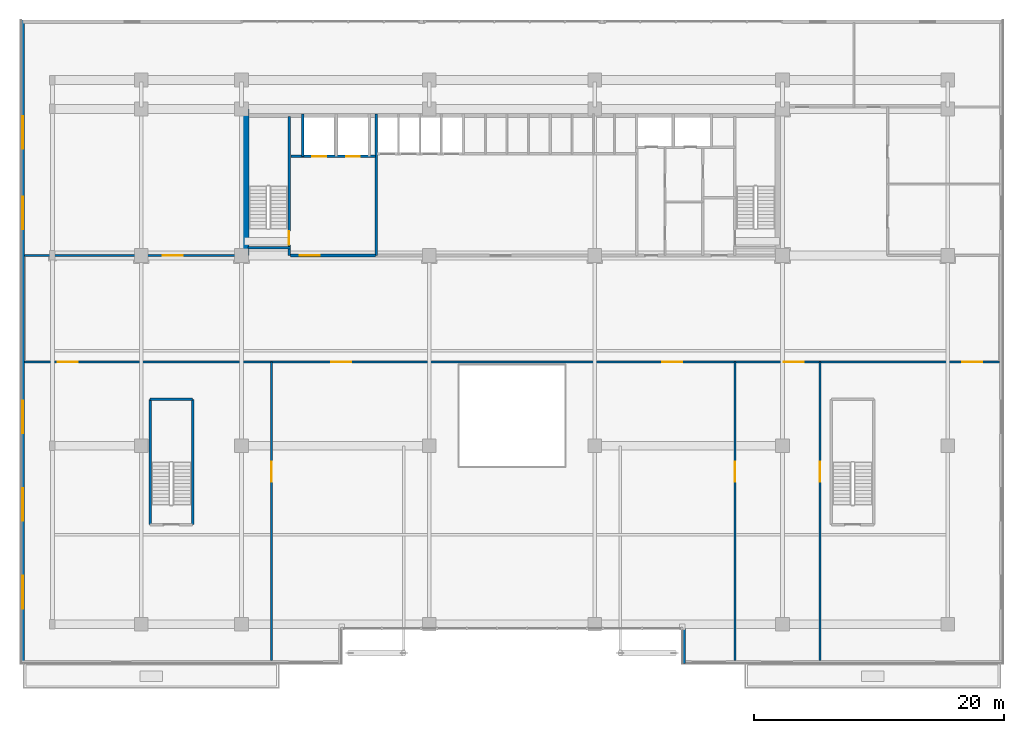
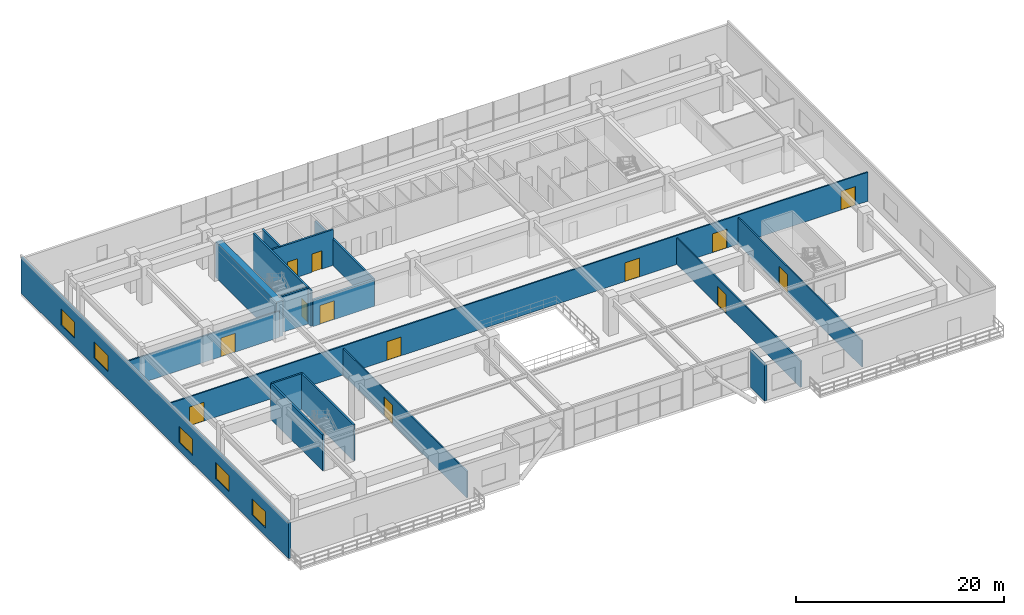
# One storey, part 15 of 24: 17 walls, 13 doors, 5 windows, 18 openings.
"""IFC4 building model written with IfcOpenShell, lengths in metres."""

from ifc_helpers import new_model, si_unit, direction, frame, frame_2d, origin, place, context, subcontext, project, spatial, rectangle, extrude, source, transform, mapped, material, layer, layer_set, type_object, element, fill, save


model = new_model("IFC4")

# Units and contexts
model_context = context("Model", 3, precision=1e-05, world=origin(), true_north=direction((0.0, 1.0)))
body_context = subcontext(model_context, "Body", "Model", "MODEL_VIEW")
ifc_project = project(units=[si_unit("LENGTHUNIT", "METRE"), si_unit("AREAUNIT", "SQUARE_METRE"), si_unit("VOLUMEUNIT", "CUBIC_METRE"), si_unit("PLANEANGLEUNIT", "RADIAN"), si_unit("MASSUNIT", "GRAM", prefix="KILO")], contexts=[model_context])

# Site, building, storey
site_placement = place(None, origin())
site = spatial("IfcSite", under=ifc_project, at=site_placement, CompositionType="ELEMENT")
building_placement = place(site_placement, origin())
building = spatial("IfcBuilding", under=site, at=building_placement, Name="Trelvane Seafront Commons", CompositionType="ELEMENT")
storey_placement = place(building_placement, frame((0.0, 0.0, 9.699951171875)))
storey = spatial("IfcBuildingStorey", under=building, at=storey_placement, Name="L02", CompositionType="ELEMENT", Elevation=9.699951171875)

# Wall
ifc_material_1 = material(Name="Precast concrete C40/50", Category="concrete")
ifc_layer_1 = layer(ifc_material_1, 0.260009765625, Name="ARCH-WALL-EXT260")
ifc_layer_set_1 = layer_set([ifc_layer_1], Name="Precast concrete C40/50")
wall_type_1 = type_object("IfcWallType", Name="ARCH-WALL-EXT260", PredefinedType="SOLIDWALL", material=ifc_layer_set_1)
wall_1_placement = place(storey_placement, frame((50.929931640625, 0.800048828125, 0.0), z_axis=(0.0, 0.0, 1.0), x_axis=(0.0, 1.0, 0.0)))
element("IfcWall", 1, at=wall_1_placement, inside=storey, type_object=wall_type_1, Name="EW-L02-00021", PredefinedType="SOLIDWALL", context=body_context, shape_type="SweptSolid", body=[
    extrude(rectangle(XDim=2.800048828125, YDim=0.260009765625, at=frame_2d((1.39990234375, 0.0))), origin(), (0.0, 0.0, 1.0), 4.199951171875),
])

# Wall, openings, windows
wall_2_placement = place(storey_placement, frame((-1.8701171875, 0.800048828125, 0.0), z_axis=(0.0, 0.0, 1.0), x_axis=(0.0, 1.0, 0.0)))
wall_2 = element("IfcWall", 2, at=wall_2_placement, inside=storey, type_object=wall_type_1, Name="EW-L02-00024", PredefinedType="SOLIDWALL", context=body_context, shape_type="SweptSolid", body=[
    extrude(rectangle(XDim=51.39990234375, YDim=0.260009765625, at=frame_2d((25.699951171875, 0.0))), origin(), (0.0, 0.0, 1.0), 4.199951171875),
])
opening_1_placement = place(wall_2_placement, frame((4.39990234375, 0.0, 0.919921875)))
opening_1 = element("IfcOpeningElement", 3, at=opening_1_placement, cuts=wall_2, Name="Opening W04", PredefinedType="OPENING", context=body_context, shape_type="SweptSolid", body=[
    extrude(rectangle(XDim=2.60009765625, YDim=1.89990234375, at=frame_2d((1.300048828125, 0.949951171875))), frame((0.0, 0.139892578125, 0.0), z_axis=(0.0, -1.0, 0.0), x_axis=(1.0, 0.0, 0.0)), (0.0, 0.0, 1.0), 0.280029296875),
])
opening_2_placement = place(wall_2_placement, frame((11.39990234375, 0.0, 0.919921875)))
opening_2 = element("IfcOpeningElement", 4, at=opening_2_placement, cuts=wall_2, Name="Opening W04", PredefinedType="OPENING", context=body_context, shape_type="SweptSolid", body=[
    extrude(rectangle(XDim=2.60009765625, YDim=1.89990234375, at=frame_2d((1.300048828125, 0.949951171875))), frame((0.0, 0.139892578125, 0.0), z_axis=(0.0, -1.0, 0.0), x_axis=(1.0, 0.0, 0.0)), (0.0, 0.0, 1.0), 0.280029296875),
])
opening_3_placement = place(wall_2_placement, frame((18.39990234375, 0.0, 0.919921875)))
opening_3 = element("IfcOpeningElement", 5, at=opening_3_placement, cuts=wall_2, Name="Opening W04", PredefinedType="OPENING", context=body_context, shape_type="SweptSolid", body=[
    extrude(rectangle(XDim=2.60009765625, YDim=1.89990234375, at=frame_2d((1.300048828125, 0.949951171875))), frame((0.0, 0.139892578125, 0.0), z_axis=(0.0, -1.0, 0.0), x_axis=(1.0, 0.0, 0.0)), (0.0, 0.0, 1.0), 0.280029296875),
])
opening_4_placement = place(wall_2_placement, frame((34.699951171875, 0.0, 0.919921875)))
opening_4 = element("IfcOpeningElement", 6, at=opening_4_placement, cuts=wall_2, Name="Opening W04", PredefinedType="OPENING", context=body_context, shape_type="SweptSolid", body=[
    extrude(rectangle(XDim=2.60009765625, YDim=1.89990234375, at=frame_2d((1.300048828125, 0.949951171875))), frame((0.0, 0.139892578125, 0.0), z_axis=(0.0, -1.0, 0.0), x_axis=(1.0, 0.0, 0.0)), (0.0, 0.0, 1.0), 0.280029296875),
])
opening_5_placement = place(wall_2_placement, frame((41.10009765625, 0.0, 0.919921875)))
opening_5 = element("IfcOpeningElement", 7, at=opening_5_placement, cuts=wall_2, Name="Opening W04", PredefinedType="OPENING", context=body_context, shape_type="SweptSolid", body=[
    extrude(rectangle(XDim=2.60009765625, YDim=1.89990234375, at=frame_2d((1.300048828125, 0.949951171875))), frame((0.0, 0.139892578125, 0.0), z_axis=(0.0, -1.0, 0.0), x_axis=(1.0, 0.0, 0.0)), (0.0, 0.0, 1.0), 0.280029296875),
])
ifc_material_2 = material(Name="Low-E coastal double glazing", Category="glass")
window_type = type_object("IfcWindowType", Name="ARCH-WIN-W04", PartitioningType="SINGLE_PANEL", PredefinedType="WINDOW", material=ifc_material_2)
shared_shape_1 = source(origin(), body_context, "Body", "SweptSolid", [
    extrude(rectangle(XDim=2.60009765625, YDim=1.89990234375, at=frame_2d((1.300048828125, 0.949951171875))), frame((0.0, 0.030029296875, 0.0), z_axis=(0.0, -1.0, 0.0), x_axis=(1.0, 0.0, 0.0)), (0.0, 0.0, 1.0), 0.06005859375),
])
window_1_placement = place(opening_1_placement, origin())
window_1 = element("IfcWindow", 8, at=window_1_placement, inside=storey, type_object=window_type, Name="WIN-L02-EW-00033", OverallHeight=1.89990234375, OverallWidth=2.60009765625, PartitioningType="SINGLE_PANEL", PredefinedType="WINDOW", context=body_context, shape_type="MappedRepresentation", body=[
    mapped(shared_shape_1, transform((0.0, 0.0, 0.0), x_axis=(1.0, 0.0, 0.0), y_axis=(0.0, 1.0, 0.0), z_axis=(0.0, 0.0, 1.0), scale=1.0)),
])
fill(opening_1, window_1)
window_2_placement = place(opening_2_placement, origin())
window_2 = element("IfcWindow", 9, at=window_2_placement, inside=storey, type_object=window_type, Name="WIN-L02-EW-00034", OverallHeight=1.89990234375, OverallWidth=2.60009765625, PartitioningType="SINGLE_PANEL", PredefinedType="WINDOW", context=body_context, shape_type="MappedRepresentation", body=[
    mapped(shared_shape_1, transform((0.0, 0.0, 0.0), x_axis=(1.0, 0.0, 0.0), y_axis=(0.0, 1.0, 0.0), z_axis=(0.0, 0.0, 1.0), scale=1.0)),
])
fill(opening_2, window_2)
window_3_placement = place(opening_3_placement, origin())
window_3 = element("IfcWindow", 10, at=window_3_placement, inside=storey, type_object=window_type, Name="WIN-L02-EW-00035", OverallHeight=1.89990234375, OverallWidth=2.60009765625, PartitioningType="SINGLE_PANEL", PredefinedType="WINDOW", context=body_context, shape_type="MappedRepresentation", body=[
    mapped(shared_shape_1, transform((0.0, 0.0, 0.0), x_axis=(1.0, 0.0, 0.0), y_axis=(0.0, 1.0, 0.0), z_axis=(0.0, 0.0, 1.0), scale=1.0)),
])
fill(opening_3, window_3)
window_4_placement = place(opening_4_placement, origin())
window_4 = element("IfcWindow", 11, at=window_4_placement, inside=storey, type_object=window_type, Name="WIN-L02-EW-00036", OverallHeight=1.89990234375, OverallWidth=2.60009765625, PartitioningType="SINGLE_PANEL", PredefinedType="WINDOW", context=body_context, shape_type="MappedRepresentation", body=[
    mapped(shared_shape_1, transform((0.0, 0.0, 0.0), x_axis=(1.0, 0.0, 0.0), y_axis=(0.0, 1.0, 0.0), z_axis=(0.0, 0.0, 1.0), scale=1.0)),
])
fill(opening_4, window_4)
window_5_placement = place(opening_5_placement, origin())
window_5 = element("IfcWindow", 12, at=window_5_placement, inside=storey, type_object=window_type, Name="WIN-L02-EW-00037", OverallHeight=1.89990234375, OverallWidth=2.60009765625, PartitioningType="SINGLE_PANEL", PredefinedType="WINDOW", context=body_context, shape_type="MappedRepresentation", body=[
    mapped(shared_shape_1, transform((0.0, 0.0, 0.0), x_axis=(1.0, 0.0, 0.0), y_axis=(0.0, 1.0, 0.0), z_axis=(0.0, 0.0, 1.0), scale=1.0)),
])
fill(opening_5, window_5)

# Wall, opening, door
ifc_material_3 = material(Name="Concrete C40/50", Category="concrete")
ifc_layer_2 = layer(ifc_material_3, 0.25, Name="ARCH-WALL-FIRE250")
ifc_layer_set_2 = layer_set([ifc_layer_2], Name="Concrete C40/50")
wall_type_2 = type_object("IfcWallType", Name="ARCH-WALL-FIRE250", PredefinedType="PARTITIONING", material=ifc_layer_set_2)
wall_3_placement = place(storey_placement, frame((19.5, 33.39990234375, 0.0), z_axis=(0.0, 0.0, 1.0), x_axis=(1.0, 0.0, 0.0)))
wall_3 = element("IfcWall", 13, at=wall_3_placement, inside=storey, type_object=wall_type_2, Name="W-L02-CS-FFL-021", PredefinedType="PARTITIONING", context=body_context, shape_type="SweptSolid", body=[
    extrude(rectangle(XDim=6.800048828125, YDim=0.25, at=frame_2d((3.39990234375, 0.0))), origin(), (0.0, 0.0, 1.0), 3.10009765625),
])
opening_6_placement = place(wall_3_placement, frame((0.75, 0.0, 0.0)))
opening_6 = element("IfcOpeningElement", 14, at=opening_6_placement, cuts=wall_3, Name="Opening FD-L02-07", PredefinedType="OPENING", context=body_context, shape_type="SweptSolid", body=[
    extrude(rectangle(XDim=1.60009765625, YDim=2.199951171875, at=frame_2d((0.800048828125, 1.10009765625))), frame((0.0, 0.135009765625, 0.0), z_axis=(0.0, -1.0, 0.0), x_axis=(1.0, 0.0, 0.0)), (0.0, 0.0, 1.0), 0.27001953125),
])
ifc_material_4 = material(Name="Powder-coated aluminium frame", Category="aluminium")
door_type_1 = type_object("IfcDoorType", Name="ARCH-DR-FD60-1600", OperationType="DOUBLE_DOOR_SINGLE_SWING", PredefinedType="DOOR", material=ifc_material_4)
shared_shape_2 = source(origin(), body_context, "Body", "SweptSolid", [
    extrude(rectangle(XDim=1.60009765625, YDim=2.199951171875, at=frame_2d((0.800048828125, 1.10009765625))), frame((0.0, 0.02490234375, 0.0), z_axis=(0.0, -1.0, 0.0), x_axis=(1.0, 0.0, 0.0)), (0.0, 0.0, 1.0), 0.050048828125),
])
door_1_placement = place(opening_6_placement, origin())
door_1 = element("IfcDoor", 15, at=door_1_placement, inside=storey, type_object=door_type_1, Name="L02 Firefighting Lift Lobby Double Fire Door", OperationType="DOUBLE_DOOR_SINGLE_SWING", OverallHeight=2.199951171875, OverallWidth=1.60009765625, PredefinedType="DOOR", context=body_context, shape_type="MappedRepresentation", body=[
    mapped(shared_shape_2, transform((0.0, 0.0, 0.0), x_axis=(1.0, 0.0, 0.0), y_axis=(0.0, 1.0, 0.0), z_axis=(0.0, 0.0, 1.0), scale=1.0)),
])
fill(opening_6, door_1)

ifc_material_5 = material(Name="Gypsum Drywall Acoustic Partition")
ifc_layer_3 = layer(ifc_material_5, 0.14990234375, Name="ARCH-WALL-PART150")
ifc_layer_set_3 = layer_set([ifc_layer_3], Name="Gypsum Drywall Acoustic Partition")
wall_type_3 = type_object("IfcWallType", Name="ARCH-WALL-PART150", PredefinedType="PARTITIONING", material=ifc_layer_set_3)
wall_4_placement = place(storey_placement, frame((-1.75, 33.39990234375, 0.0), z_axis=(0.0, 0.0, 1.0), x_axis=(1.0, 0.0, 0.0)))
wall_4 = element("IfcWall", 16, at=wall_4_placement, inside=storey, type_object=wall_type_3, Name="W-L02-POD-NW-S-046", PredefinedType="PARTITIONING", context=body_context, shape_type="SweptSolid", body=[
    extrude(rectangle(XDim=17.550048828125, YDim=0.14990234375, at=frame_2d((8.77490234375, 0.0))), origin(), (0.0, 0.0, 1.0), 3.10009765625),
])
opening_7_placement = place(wall_4_placement, frame((11.049072265625, 0.0, 0.0)))
opening_7 = element("IfcOpeningElement", 17, at=opening_7_placement, cuts=wall_4, Name="Opening D-L02-20", PredefinedType="OPENING", context=body_context, shape_type="SweptSolid", body=[
    extrude(rectangle(XDim=1.60009765625, YDim=2.199951171875, at=frame_2d((0.800048828125, 1.10009765625))), frame((0.0, 0.0849609375, 0.0), z_axis=(0.0, -1.0, 0.0), x_axis=(1.0, 0.0, 0.0)), (0.0, 0.0, 1.0), 0.169921875),
])
ifc_material_6 = material(Name="Acoustic timber door leaf", Category="wood")
door_type_2 = type_object("IfcDoorType", Name="ARCH-DR-GLZ1600", OperationType="DOUBLE_DOOR_SINGLE_SWING", PredefinedType="DOOR", material=ifc_material_6)
door_2_placement = place(opening_7_placement, origin())
door_2 = element("IfcDoor", 18, at=door_2_placement, inside=storey, type_object=door_type_2, Name="L02 West Study Suite Door", OperationType="DOUBLE_DOOR_SINGLE_SWING", OverallHeight=2.199951171875, OverallWidth=1.60009765625, PredefinedType="DOOR", context=body_context, shape_type="MappedRepresentation", body=[
    mapped(shared_shape_2, transform((0.0, 0.0, 0.0), x_axis=(1.0, 0.0, 0.0), y_axis=(0.0, 1.0, 0.0), z_axis=(0.0, 0.0, 1.0), scale=1.0)),
])
fill(opening_7, door_2)

# Wall, openings, doors
wall_5_placement = place(storey_placement, frame((-1.75, 24.89990234375, 0.0), z_axis=(0.0, 0.0, 1.0), x_axis=(1.0, 0.0, 0.0)))
wall_5 = element("IfcWall", 19, at=wall_5_placement, inside=storey, type_object=wall_type_3, Name="W-L02-POD-SPINE-052", PredefinedType="PARTITIONING", context=body_context, shape_type="SweptSolid", body=[
    extrude(rectangle(XDim=77.89990234375, YDim=0.14990234375, at=frame_2d((38.949951171875, 0.0))), origin(), (0.0, 0.0, 1.0), 3.400146484375),
])
opening_8_placement = place(wall_5_placement, frame((2.678955078125, 0.0, 0.0)))
opening_8 = element("IfcOpeningElement", 20, at=opening_8_placement, cuts=wall_5, Name="Opening D-L02-25", PredefinedType="OPENING", context=body_context, shape_type="SweptSolid", body=[
    extrude(rectangle(XDim=1.60009765625, YDim=2.199951171875, at=frame_2d((0.800048828125, 1.10009765625))), frame((0.0, 0.0849609375, 0.0), z_axis=(0.0, -1.0, 0.0), x_axis=(1.0, 0.0, 0.0)), (0.0, 0.0, 1.0), 0.169921875),
])
opening_9_placement = place(wall_5_placement, frame((24.52587890625, 0.0, 0.0)))
opening_9 = element("IfcOpeningElement", 21, at=opening_9_placement, cuts=wall_5, Name="Opening D-L02-26", PredefinedType="OPENING", context=body_context, shape_type="SweptSolid", body=[
    extrude(rectangle(XDim=1.60009765625, YDim=2.199951171875, at=frame_2d((0.800048828125, 1.10009765625))), frame((0.0, 0.0849609375, 0.0), z_axis=(0.0, -1.0, 0.0), x_axis=(1.0, 0.0, 0.0)), (0.0, 0.0, 1.0), 0.169921875),
])
opening_10_placement = place(wall_5_placement, frame((50.962890625, 0.0, 0.0)))
opening_10 = element("IfcOpeningElement", 22, at=opening_10_placement, cuts=wall_5, Name="Opening D-L02-27", PredefinedType="OPENING", context=body_context, shape_type="SweptSolid", body=[
    extrude(rectangle(XDim=1.60009765625, YDim=2.199951171875, at=frame_2d((0.800048828125, 1.10009765625))), frame((0.0, 0.0849609375, 0.0), z_axis=(0.0, -1.0, 0.0), x_axis=(1.0, 0.0, 0.0)), (0.0, 0.0, 1.0), 0.169921875),
])
opening_11_placement = place(wall_5_placement, frame((60.633056640625, 0.0, 0.0)))
opening_11 = element("IfcOpeningElement", 23, at=opening_11_placement, cuts=wall_5, Name="Opening D-L02-28", PredefinedType="OPENING", context=body_context, shape_type="SweptSolid", body=[
    extrude(rectangle(XDim=1.60009765625, YDim=2.199951171875, at=frame_2d((0.800048828125, 1.10009765625))), frame((0.0, 0.0849609375, 0.0), z_axis=(0.0, -1.0, 0.0), x_axis=(1.0, 0.0, 0.0)), (0.0, 0.0, 1.0), 0.169921875),
])
opening_12_placement = place(wall_5_placement, frame((74.887939453125, 0.0, 0.0)))
opening_12 = element("IfcOpeningElement", 24, at=opening_12_placement, cuts=wall_5, Name="Opening D-L02-29", PredefinedType="OPENING", context=body_context, shape_type="SweptSolid", body=[
    extrude(rectangle(XDim=1.60009765625, YDim=2.199951171875, at=frame_2d((0.800048828125, 1.10009765625))), frame((0.0, 0.0849609375, 0.0), z_axis=(0.0, -1.0, 0.0), x_axis=(1.0, 0.0, 0.0)), (0.0, 0.0, 1.0), 0.169921875),
])
door_3_placement = place(opening_8_placement, origin())
door_3 = element("IfcDoor", 25, at=door_3_placement, inside=storey, type_object=door_type_2, Name="L02 Door 25", OperationType="DOUBLE_DOOR_SINGLE_SWING", OverallHeight=2.199951171875, OverallWidth=1.60009765625, PredefinedType="DOOR", context=body_context, shape_type="MappedRepresentation", body=[
    mapped(shared_shape_2, transform((0.0, 0.0, 0.0), x_axis=(1.0, 0.0, 0.0), y_axis=(0.0, 1.0, 0.0), z_axis=(0.0, 0.0, 1.0), scale=1.0)),
])
fill(opening_8, door_3)
door_4_placement = place(opening_9_placement, origin())
door_4 = element("IfcDoor", 26, at=door_4_placement, inside=storey, type_object=door_type_2, Name="L02 Door 26", OperationType="DOUBLE_DOOR_SINGLE_SWING", OverallHeight=2.199951171875, OverallWidth=1.60009765625, PredefinedType="DOOR", context=body_context, shape_type="MappedRepresentation", body=[
    mapped(shared_shape_2, transform((0.0, 0.0, 0.0), x_axis=(1.0, 0.0, 0.0), y_axis=(0.0, 1.0, 0.0), z_axis=(0.0, 0.0, 1.0), scale=1.0)),
])
fill(opening_9, door_4)
door_5_placement = place(opening_10_placement, origin())
door_5 = element("IfcDoor", 27, at=door_5_placement, inside=storey, type_object=door_type_2, Name="L02 Door 27", OperationType="DOUBLE_DOOR_SINGLE_SWING", OverallHeight=2.199951171875, OverallWidth=1.60009765625, PredefinedType="DOOR", context=body_context, shape_type="MappedRepresentation", body=[
    mapped(shared_shape_2, transform((0.0, 0.0, 0.0), x_axis=(1.0, 0.0, 0.0), y_axis=(0.0, 1.0, 0.0), z_axis=(0.0, 0.0, 1.0), scale=1.0)),
])
fill(opening_10, door_5)
door_6_placement = place(opening_11_placement, origin())
door_6 = element("IfcDoor", 28, at=door_6_placement, inside=storey, type_object=door_type_2, Name="L02 Door 28", OperationType="DOUBLE_DOOR_SINGLE_SWING", OverallHeight=2.199951171875, OverallWidth=1.60009765625, PredefinedType="DOOR", context=body_context, shape_type="MappedRepresentation", body=[
    mapped(shared_shape_2, transform((0.0, 0.0, 0.0), x_axis=(1.0, 0.0, 0.0), y_axis=(0.0, 1.0, 0.0), z_axis=(0.0, 0.0, 1.0), scale=1.0)),
])
fill(opening_11, door_6)
door_7_placement = place(opening_12_placement, origin())
door_7 = element("IfcDoor", 29, at=door_7_placement, inside=storey, type_object=door_type_2, Name="L02 Door 29", OperationType="DOUBLE_DOOR_SINGLE_SWING", OverallHeight=2.199951171875, OverallWidth=1.60009765625, PredefinedType="DOOR", context=body_context, shape_type="MappedRepresentation", body=[
    mapped(shared_shape_2, transform((0.0, 0.0, 0.0), x_axis=(1.0, 0.0, 0.0), y_axis=(0.0, 1.0, 0.0), z_axis=(0.0, 0.0, 1.0), scale=1.0)),
])
fill(opening_12, door_7)

# Wall, opening, door
wall_6_placement = place(storey_placement, frame((18.0, 1.050048828125, 0.0), z_axis=(0.0, 0.0, 1.0), x_axis=(0.0, 1.0, 0.0)))
wall_6 = element("IfcWall", 30, at=wall_6_placement, inside=storey, type_object=wall_type_3, Name="W-L02-POD-DIV-1-053", PredefinedType="PARTITIONING", context=body_context, shape_type="SweptSolid", body=[
    extrude(rectangle(XDim=23.849853515625, YDim=0.14990234375, at=frame_2d((11.9248046875, 0.0))), origin(), (0.0, 0.0, 1.0), 3.10009765625),
])
opening_13_placement = place(wall_6_placement, frame((14.284912109375, 0.0, 0.0)))
opening_13 = element("IfcOpeningElement", 31, at=opening_13_placement, cuts=wall_6, Name="Opening D-L02-30", PredefinedType="OPENING", context=body_context, shape_type="SweptSolid", body=[
    extrude(rectangle(XDim=1.60009765625, YDim=2.199951171875, at=frame_2d((0.800048828125, 1.10009765625))), frame((0.0, 0.0849609375, 0.0), z_axis=(0.0, -1.0, 0.0), x_axis=(1.0, 0.0, 0.0)), (0.0, 0.0, 1.0), 0.169921875),
])
door_8_placement = place(opening_13_placement, origin())
door_8 = element("IfcDoor", 32, at=door_8_placement, inside=storey, type_object=door_type_2, Name="L02 Door 30", OperationType="DOUBLE_DOOR_SINGLE_SWING", OverallHeight=2.199951171875, OverallWidth=1.60009765625, PredefinedType="DOOR", context=body_context, shape_type="MappedRepresentation", body=[
    mapped(shared_shape_2, transform((0.0, 0.0, 0.0), x_axis=(1.0, 0.0, 0.0), y_axis=(0.0, 1.0, 0.0), z_axis=(0.0, 0.0, 1.0), scale=1.0)),
])
fill(opening_13, door_8)

wall_7_placement = place(storey_placement, frame((55.0, 1.050048828125, 0.0), z_axis=(0.0, 0.0, 1.0), x_axis=(0.0, 1.0, 0.0)))
wall_7 = element("IfcWall", 33, at=wall_7_placement, inside=storey, type_object=wall_type_3, Name="W-L02-POD-DIV-3-054", PredefinedType="PARTITIONING", context=body_context, shape_type="SweptSolid", body=[
    extrude(rectangle(XDim=23.849853515625, YDim=0.14990234375, at=frame_2d((11.9248046875, 0.0))), origin(), (0.0, 0.0, 1.0), 3.10009765625),
])
opening_14_placement = place(wall_7_placement, frame((14.284912109375, 0.0, 0.0)))
opening_14 = element("IfcOpeningElement", 34, at=opening_14_placement, cuts=wall_7, Name="Opening D-L02-31", PredefinedType="OPENING", context=body_context, shape_type="SweptSolid", body=[
    extrude(rectangle(XDim=1.60009765625, YDim=2.199951171875, at=frame_2d((0.800048828125, 1.10009765625))), frame((0.0, 0.0849609375, 0.0), z_axis=(0.0, -1.0, 0.0), x_axis=(1.0, 0.0, 0.0)), (0.0, 0.0, 1.0), 0.169921875),
])
door_9_placement = place(opening_14_placement, origin())
door_9 = element("IfcDoor", 35, at=door_9_placement, inside=storey, type_object=door_type_2, Name="L02 Door 31", OperationType="DOUBLE_DOOR_SINGLE_SWING", OverallHeight=2.199951171875, OverallWidth=1.60009765625, PredefinedType="DOOR", context=body_context, shape_type="MappedRepresentation", body=[
    mapped(shared_shape_2, transform((0.0, 0.0, 0.0), x_axis=(1.0, 0.0, 0.0), y_axis=(0.0, 1.0, 0.0), z_axis=(0.0, 0.0, 1.0), scale=1.0)),
])
fill(opening_14, door_9)

wall_8_placement = place(storey_placement, frame((61.800048828125, 1.050048828125, 0.0), z_axis=(0.0, 0.0, 1.0), x_axis=(0.0, 1.0, 0.0)))
wall_8 = element("IfcWall", 36, at=wall_8_placement, inside=storey, type_object=wall_type_3, Name="W-L02-POD-DIV-4-055", PredefinedType="PARTITIONING", context=body_context, shape_type="SweptSolid", body=[
    extrude(rectangle(XDim=23.849853515625, YDim=0.14990234375, at=frame_2d((11.9248046875, 0.0))), origin(), (0.0, 0.0, 1.0), 3.10009765625),
])
opening_15_placement = place(wall_8_placement, frame((14.284912109375, 0.0, 0.0)))
opening_15 = element("IfcOpeningElement", 37, at=opening_15_placement, cuts=wall_8, Name="Opening D-L02-32", PredefinedType="OPENING", context=body_context, shape_type="SweptSolid", body=[
    extrude(rectangle(XDim=1.60009765625, YDim=2.199951171875, at=frame_2d((0.800048828125, 1.10009765625))), frame((0.0, 0.0849609375, 0.0), z_axis=(0.0, -1.0, 0.0), x_axis=(1.0, 0.0, 0.0)), (0.0, 0.0, 1.0), 0.169921875),
])
door_10_placement = place(opening_15_placement, origin())
door_10 = element("IfcDoor", 38, at=door_10_placement, inside=storey, type_object=door_type_2, Name="L02 Door 32", OperationType="DOUBLE_DOOR_SINGLE_SWING", OverallHeight=2.199951171875, OverallWidth=1.60009765625, PredefinedType="DOOR", context=body_context, shape_type="MappedRepresentation", body=[
    mapped(shared_shape_2, transform((0.0, 0.0, 0.0), x_axis=(1.0, 0.0, 0.0), y_axis=(0.0, 1.0, 0.0), z_axis=(0.0, 0.0, 1.0), scale=1.0)),
])
fill(opening_15, door_10)

# Wall, openings, doors
ifc_layer_4 = layer(ifc_material_3, 0.199951171875, Name="ARCH-WALL-SHAFT200")
ifc_layer_set_4 = layer_set([ifc_layer_4], Name="Concrete C40/50")
wall_type_4 = type_object("IfcWallType", Name="ARCH-WALL-SHAFT200", PredefinedType="SOLIDWALL", material=ifc_layer_set_4)
wall_9_placement = place(storey_placement, frame((19.550048828125, 41.300048828125, 0.0), z_axis=(0.0, 0.0, 1.0), x_axis=(1.0, 0.0, 0.0)))
wall_9 = element("IfcWall", 39, at=wall_9_placement, inside=storey, type_object=wall_type_4, Name="W-L02-FFL-FRONT-016", PredefinedType="SOLIDWALL", context=body_context, shape_type="SweptSolid", body=[
    extrude(rectangle(XDim=6.75, YDim=0.199951171875, at=frame_2d((3.375, 0.0))), origin(), (0.0, 0.0, 1.0), 4.199951171875),
])
opening_16_placement = place(wall_9_placement, frame((1.699951171875, 0.0, 0.0)))
opening_16 = element("IfcOpeningElement", 40, at=opening_16_placement, cuts=wall_9, Name="Opening LD-FF1-L02", PredefinedType="OPENING", context=body_context, shape_type="SweptSolid", body=[
    extrude(rectangle(XDim=1.10009765625, YDim=2.14990234375, at=frame_2d((0.550048828125, 1.074951171875))), frame((0.0, 0.10986328125, 0.0), z_axis=(0.0, -1.0, 0.0), x_axis=(1.0, 0.0, 0.0)), (0.0, 0.0, 1.0), 0.219970703125),
])
opening_17_placement = place(wall_9_placement, frame((4.39990234375, 0.0, 0.0)))
opening_17 = element("IfcOpeningElement", 41, at=opening_17_placement, cuts=wall_9, Name="Opening LD-FF2-L02", PredefinedType="OPENING", context=body_context, shape_type="SweptSolid", body=[
    extrude(rectangle(XDim=1.10009765625, YDim=2.14990234375, at=frame_2d((0.550048828125, 1.074951171875))), frame((0.0, 0.10986328125, 0.0), z_axis=(0.0, -1.0, 0.0), x_axis=(1.0, 0.0, 0.0)), (0.0, 0.0, 1.0), 0.219970703125),
])
ifc_material_7 = material(Name="Stainless steel balustrade", Category="steel")
door_type_3 = type_object("IfcDoorType", Name="ARCH-DR-LD1100", OperationType="DOUBLE_DOOR_SLIDING", PredefinedType="DOOR", material=ifc_material_7)
shared_shape_3 = source(origin(), body_context, "Body", "SweptSolid", [
    extrude(rectangle(XDim=1.10009765625, YDim=2.14990234375, at=frame_2d((0.550048828125, 1.074951171875))), frame((0.0, 0.02490234375, 0.0), z_axis=(0.0, -1.0, 0.0), x_axis=(1.0, 0.0, 0.0)), (0.0, 0.0, 1.0), 0.050048828125),
])
door_11_placement = place(opening_16_placement, origin())
door_11 = element("IfcDoor", 42, at=door_11_placement, inside=storey, type_object=door_type_3, Name="L02 Firefighting Lift FFL-1 Landing Door", OperationType="DOUBLE_DOOR_SLIDING", OverallHeight=2.14990234375, OverallWidth=1.10009765625, PredefinedType="DOOR", context=body_context, shape_type="MappedRepresentation", body=[
    mapped(shared_shape_3, transform((0.0, 0.0, 0.0), x_axis=(1.0, 0.0, 0.0), y_axis=(0.0, 1.0, 0.0), z_axis=(0.0, 0.0, 1.0), scale=1.0)),
])
fill(opening_16, door_11)
door_12_placement = place(opening_17_placement, origin())
door_12 = element("IfcDoor", 43, at=door_12_placement, inside=storey, type_object=door_type_3, Name="L02 Firefighting Lift FFL-2 Landing Door", OperationType="DOUBLE_DOOR_SLIDING", OverallHeight=2.14990234375, OverallWidth=1.10009765625, PredefinedType="DOOR", context=body_context, shape_type="MappedRepresentation", body=[
    mapped(shared_shape_3, transform((0.0, 0.0, 0.0), x_axis=(1.0, 0.0, 0.0), y_axis=(0.0, 1.0, 0.0), z_axis=(0.0, 0.0, 1.0), scale=1.0)),
])
fill(opening_17, door_12)

# Walls
wall_10_placement = place(storey_placement, frame((20.5, 41.300048828125, 0.0), z_axis=(0.0, 0.0, 1.0), x_axis=(0.0, 1.0, 0.0)))
element("IfcWall", 44, at=wall_10_placement, inside=storey, type_object=wall_type_4, Name="W-L02-FFL-SH-W-017", PredefinedType="SOLIDWALL", context=body_context, shape_type="SweptSolid", body=[
    extrude(rectangle(XDim=3.39990234375, YDim=0.199951171875, at=frame_2d((1.699951171875, 0.0))), origin(), (0.0, 0.0, 1.0), 4.199951171875),
])
wall_11_placement = place(storey_placement, frame((26.35009765625, 33.39990234375, 0.0), z_axis=(0.0, 0.0, 1.0), x_axis=(0.0, 1.0, 0.0)))
element("IfcWall", 45, at=wall_11_placement, inside=storey, type_object=wall_type_4, Name="W-L02-FFL-EAST-020", PredefinedType="SOLIDWALL", context=body_context, shape_type="SweptSolid", body=[
    extrude(rectangle(XDim=11.300048828125, YDim=0.199951171875, at=frame_2d((5.64990234375, 0.0))), origin(), (0.0, 0.0, 1.0), 3.10009765625),
])
ifc_material_8 = material(Name="Concrete C60/75", Category="concrete")
ifc_layer_5 = layer(ifc_material_8, 0.699951171875, Name="STR-WALL-CORE700")
ifc_layer_set_5 = layer_set([ifc_layer_5], Name="Concrete C60/75")
wall_type_5 = type_object("IfcWallType", Name="STR-WALL-CORE700", PredefinedType="SHEAR", material=ifc_layer_set_5)
wall_12_placement = place(storey_placement, frame((15.85009765625, 33.39990234375, 0.0), z_axis=(0.0, 0.0, 1.0), x_axis=(0.0, 1.0, 0.0)))
element("IfcWall", 46, at=wall_12_placement, inside=storey, type_object=wall_type_5, Name="W-L02-CW-END-002", PredefinedType="SHEAR", context=body_context, shape_type="SweptSolid", body=[
    extrude(rectangle(XDim=11.7001953125, YDim=0.699951171875, at=frame_2d((5.85009765625, 0.0))), origin(), (0.0, 0.0, 1.0), 4.199951171875),
])
ifc_material_9 = material(Name="Concrete C50/60", Category="concrete")
ifc_layer_6 = layer(ifc_material_9, 0.199951171875, Name="STR-WALL-STAIR200")
ifc_layer_set_6 = layer_set([ifc_layer_6], Name="Concrete C50/60")
wall_type_6 = type_object("IfcWallType", Name="STR-WALL-STAIR200", PredefinedType="SHEAR", material=ifc_layer_set_6)
wall_13_placement = place(storey_placement, frame((16.10009765625, 34.0, 0.0), z_axis=(0.0, 0.0, 1.0), x_axis=(1.0, 0.0, 0.0)))
element("IfcWall", 47, at=wall_13_placement, inside=storey, type_object=wall_type_6, Name="W-L02-ST1-S-004", PredefinedType="SHEAR", context=body_context, shape_type="SweptSolid", body=[
    extrude(rectangle(XDim=3.39990234375, YDim=0.199951171875, at=frame_2d((1.699951171875, 0.0))), origin(), (0.0, 0.0, 1.0), 4.199951171875),
])

# Wall, opening, door
wall_14_placement = place(storey_placement, frame((19.39990234375, 33.39990234375, 0.0), z_axis=(0.0, 0.0, 1.0), x_axis=(0.0, 1.0, 0.0)))
wall_14 = element("IfcWall", 48, at=wall_14_placement, inside=storey, type_object=wall_type_6, Name="W-L02-ST1-E-005", PredefinedType="SHEAR", context=body_context, shape_type="SweptSolid", body=[
    extrude(rectangle(XDim=11.10009765625, YDim=0.199951171875, at=frame_2d((5.550048828125, 0.0))), origin(), (0.0, 0.0, 1.0), 4.199951171875),
])
opening_18_placement = place(wall_14_placement, frame((0.85009765625, 0.0, 0.0)))
opening_18 = element("IfcOpeningElement", 49, at=opening_18_placement, cuts=wall_14, Name="Opening ST-D1-L02", PredefinedType="OPENING", context=body_context, shape_type="SweptSolid", body=[
    extrude(rectangle(XDim=1.10009765625, YDim=2.14990234375, at=frame_2d((0.550048828125, 1.074951171875))), frame((0.0, 0.10986328125, 0.0), z_axis=(0.0, -1.0, 0.0), x_axis=(1.0, 0.0, 0.0)), (0.0, 0.0, 1.0), 0.219970703125),
])
door_type_4 = type_object("IfcDoorType", Name="ARCH-DR-FD90-1100", OperationType="NOTDEFINED", PredefinedType="DOOR", material=ifc_material_4)
door_13_placement = place(opening_18_placement, origin())
door_13 = element("IfcDoor", 50, at=door_13_placement, inside=storey, type_object=door_type_4, Name="L02 Stair ST-1 Lobby Fire Door", OperationType="SINGLE_SWING_LEFT", OverallHeight=2.14990234375, OverallWidth=1.10009765625, PredefinedType="DOOR", context=body_context, shape_type="MappedRepresentation", body=[
    mapped(shared_shape_3, transform((0.0, 0.0, 0.0), x_axis=(1.0, 0.0, 0.0), y_axis=(0.0, 1.0, 0.0), z_axis=(0.0, 0.0, 1.0), scale=1.0)),
])
fill(opening_18, door_13)

# Walls
for number, where, z_axis, x_axis, name in (
    (51, (8.300048828125, 11.89990234375, 0.0), (0.0, 0.0, 1.0), (0.0, 1.0, 0.0), "W-L02-ST3-W-008"),
    (52, (11.699951171875, 11.89990234375, 0.0), (0.0, 0.0, 1.0), (0.0, 1.0, 0.0), "W-L02-ST3-E-009"),
):
    element("IfcWall", number, at=place(storey_placement, frame(where, z_axis=z_axis, x_axis=x_axis)), inside=storey, type_object=wall_type_6, Name=name, PredefinedType="SHEAR", context=body_context, shape_type="SweptSolid", body=[
        extrude(rectangle(XDim=10.0, YDim=0.199951171875, at=frame_2d((5.0, 0.0))), origin(), (0.0, 0.0, 1.0), 4.199951171875),
    ])
wall_15_placement = place(storey_placement, frame((8.300048828125, 21.89990234375, 0.0), z_axis=(0.0, 0.0, 1.0), x_axis=(1.0, 0.0, 0.0)))
element("IfcWall", 53, at=wall_15_placement, inside=storey, type_object=wall_type_6, Name="W-L02-ST3-N-011", PredefinedType="SHEAR", context=body_context, shape_type="SweptSolid", body=[
    extrude(rectangle(XDim=3.39990234375, YDim=0.199951171875, at=frame_2d((1.699951171875, 0.0))), origin(), (0.0, 0.0, 1.0), 4.199951171875),
])

save(model, "model.ifc")
